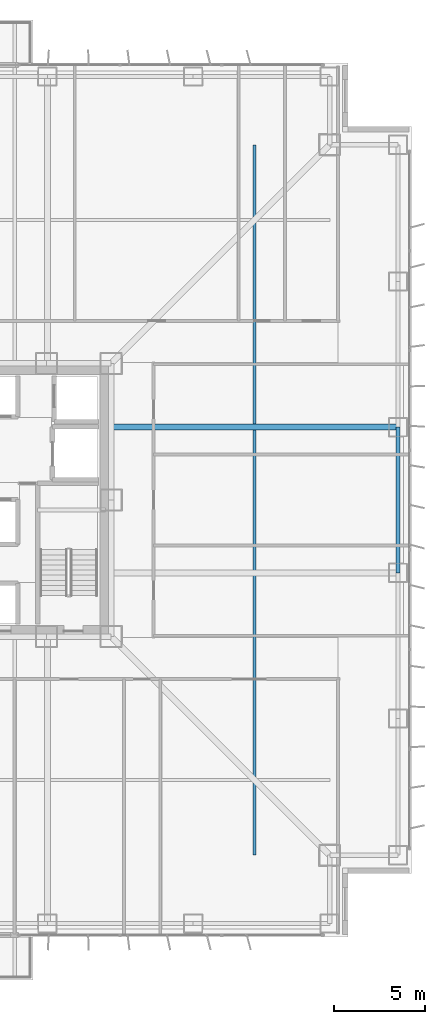
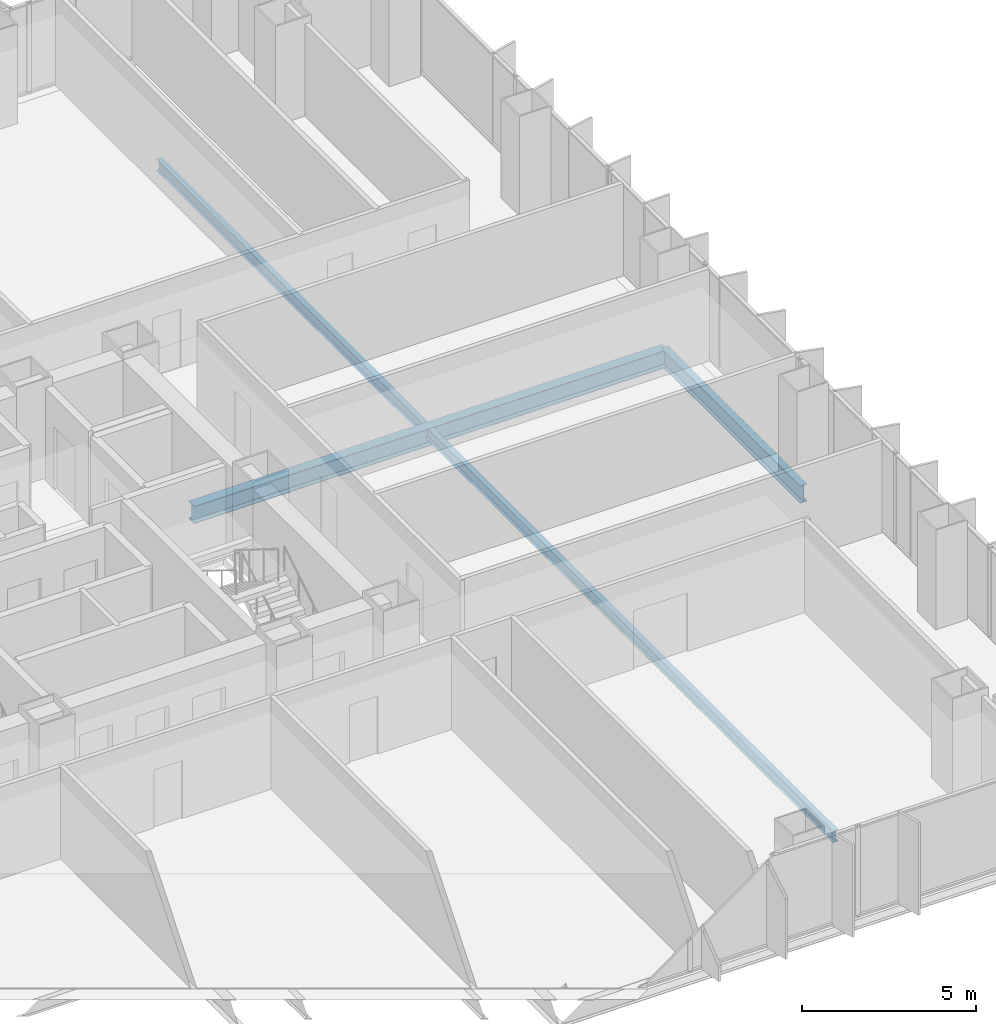
# One storey, part 7 of 21: 3 beams.
"""IFC4 building model written with IfcOpenShell, lengths in metres."""

from ifc_helpers import new_model, si_unit, direction, frame, origin, origin_2d, place, context, subcontext, project, spatial, i_section, extrude, material, material_profile, profile_set, type_object, element, save


model = new_model("IFC4")

# Units and contexts
model_context = context("Model", 3, precision=1e-05, world=origin(), true_north=direction((0.0, 1.0)))
body_context = subcontext(model_context, "Body", "Model", "MODEL_VIEW")
ifc_project = project(units=[si_unit("LENGTHUNIT", "METRE"), si_unit("AREAUNIT", "SQUARE_METRE"), si_unit("VOLUMEUNIT", "CUBIC_METRE"), si_unit("PLANEANGLEUNIT", "RADIAN"), si_unit("MASSUNIT", "GRAM", prefix="KILO")], contexts=[model_context])

# Site, building, storey
site_placement = place(None, origin())
site = spatial("IfcSite", under=ifc_project, at=site_placement, CompositionType="ELEMENT")
building_placement = place(site_placement, origin())
building = spatial("IfcBuilding", under=site, at=building_placement, Name="Trevonay Congress Spire", CompositionType="ELEMENT")
storey_placement = place(building_placement, frame((0.0, 0.0, 37.5)))
storey = spatial("IfcBuildingStorey", under=building, at=storey_placement, Name="L08", CompositionType="ELEMENT", Elevation=37.5)

# Beams
ifc_material = material(Name="Steel ASTM A572 Grade 50", Category="steel")
ifc_material_profile_1 = material_profile(ifc_material, i_section(OverallWidth=0.324951171875, OverallDepth=0.615966796875, WebThickness=0.013916015625, FlangeThickness=0.021484375, FilletRadius=0.01806640625, at=origin_2d()), Name="W610x174")
ifc_profile_set_1 = profile_set([ifc_material_profile_1], Name="Steel ASTM A572 Grade 50")
beam_type_1 = type_object("IfcBeamType", Name="BM-GIRD-W610X174", PredefinedType="BEAM", material=ifc_profile_set_1)
beam_1_placement = place(storey_placement, frame((7.5, 4.0, -0.55810546875), z_axis=(1.0, 0.0, 0.0), x_axis=(0.0, 1.0, 0.0)))
element("IfcBeam", 1, at=beam_1_placement, inside=storey, type_object=beam_type_1, Name="L08 structural beam BM-L08-GE-P", PredefinedType="BEAM", context=body_context, shape_type="SweptSolid", body=[
    extrude(i_section(OverallWidth=0.324951171875, OverallDepth=0.615966796875, WebThickness=0.013916015625, FlangeThickness=0.021484375, FilletRadius=0.01806640625, at=origin_2d()), origin(), (0.0, 0.0, 1.0), 15.75),
])
ifc_material_profile_2 = material_profile(ifc_material, i_section(OverallWidth=0.22998046875, OverallDepth=0.616943359375, WebThickness=0.01318359375, FlangeThickness=0.022216796875, FilletRadius=0.01611328125, at=origin_2d()), Name="W610x140")
ifc_profile_set_2 = profile_set([ifc_material_profile_2], Name="Steel ASTM A572 Grade 50")
beam_type_2 = type_object("IfcBeamType", Name="BM-RING-W610X140", PredefinedType="BEAM", material=ifc_profile_set_2)
beam_2_placement = place(storey_placement, frame((23.25, -4.0, -0.55859375), z_axis=(0.0, 1.0, 0.0), x_axis=(-1.0, 0.0, 0.0)))
element("IfcBeam", 2, at=beam_2_placement, inside=storey, type_object=beam_type_2, Name="L08 structural beam BM-L08-PE3", PredefinedType="BEAM", context=body_context, shape_type="SweptSolid", body=[
    extrude(i_section(OverallWidth=0.22998046875, OverallDepth=0.616943359375, WebThickness=0.01318359375, FlangeThickness=0.022216796875, FilletRadius=0.01611328125, at=origin_2d()), origin(), (0.0, 0.0, 1.0), 8.0),
])
ifc_material_profile_3 = material_profile(ifc_material, i_section(OverallWidth=0.177978515625, OverallDepth=0.406982421875, WebThickness=0.0078125, FlangeThickness=0.0126953125, FilletRadius=0.012939453125, at=origin_2d()), Name="W410x60")
ifc_profile_set_3 = profile_set([ifc_material_profile_3], Name="Steel ASTM A572 Grade 50")
beam_type_3 = type_object("IfcBeamType", Name="JS-COMP-W410X60", PredefinedType="JOIST", material=ifc_profile_set_3)
beam_3_placement = place(storey_placement, frame((15.375, -19.5, -0.45361328125), z_axis=(0.0, 1.0, 0.0), x_axis=(-1.0, 0.0, 0.0)))
element("IfcBeam", 3, at=beam_3_placement, inside=storey, type_object=beam_type_3, Name="L08 structural beam JS-L08-RING-E", PredefinedType="JOIST", context=body_context, shape_type="SweptSolid", body=[
    extrude(i_section(OverallWidth=0.177978515625, OverallDepth=0.406982421875, WebThickness=0.0078125, FlangeThickness=0.0126953125, FilletRadius=0.012939453125, at=origin_2d()), origin(), (0.0, 0.0, 1.0), 39.0),
])

save(model, "model.ifc")
